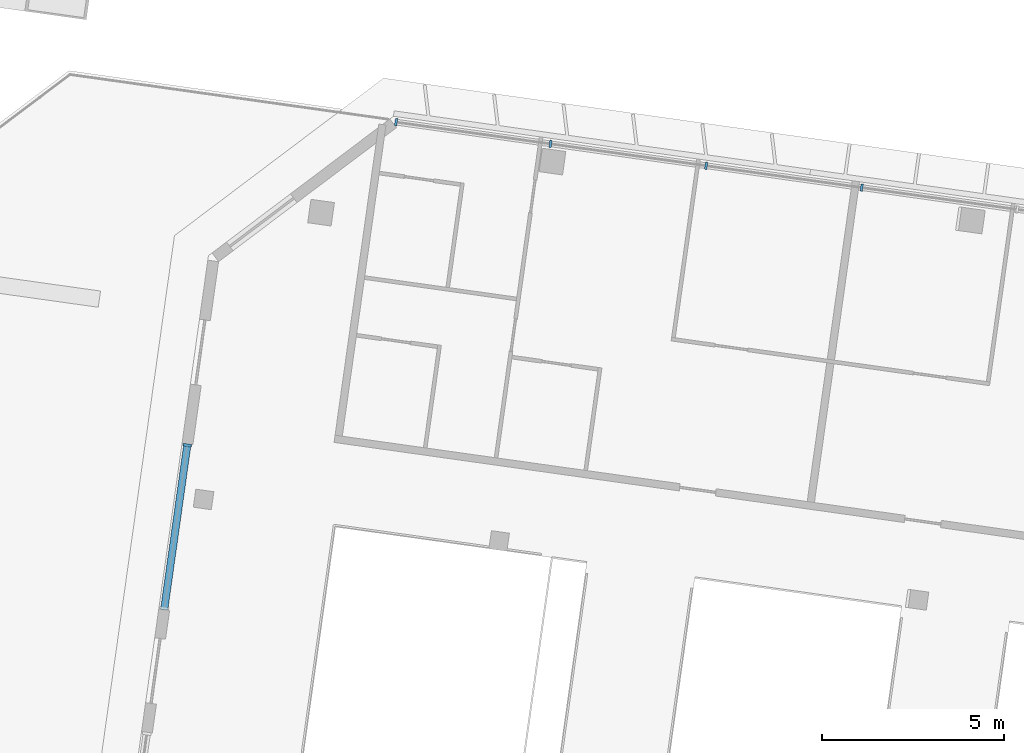
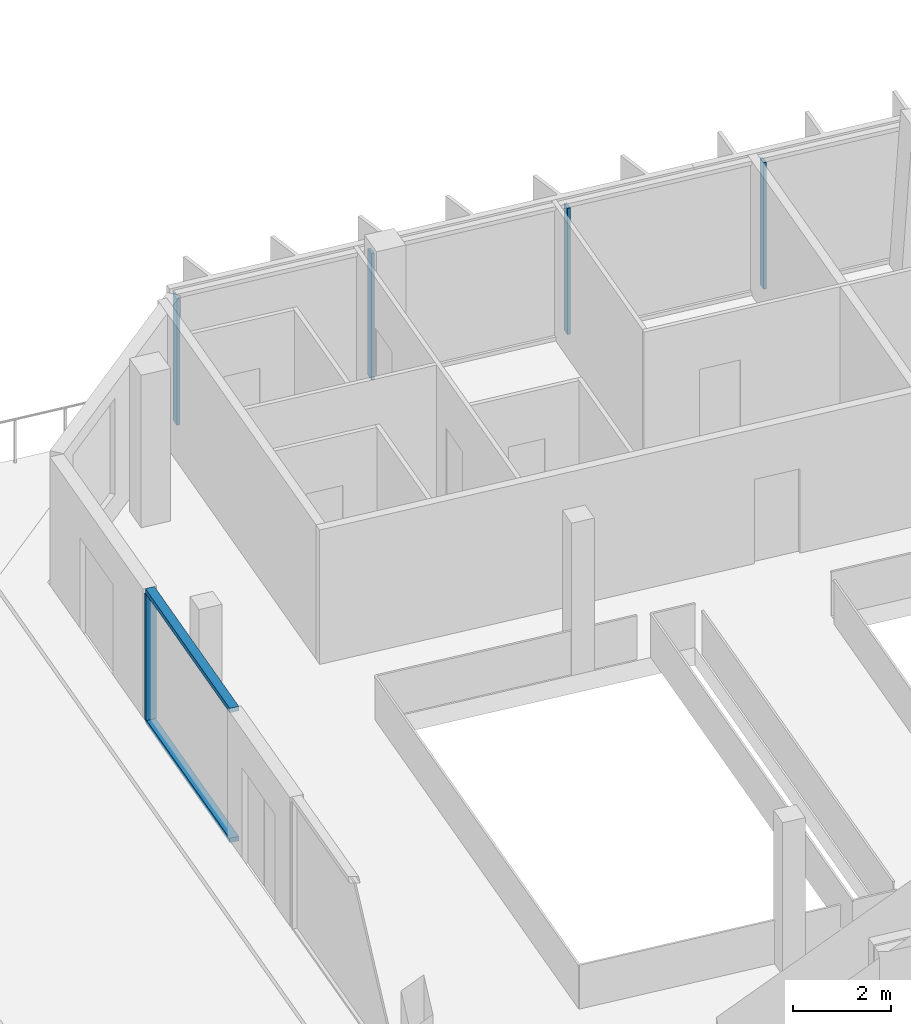
# One storey, part 4 of 19: 7 members, 2 elements without a shape of their own.
"""IFC4 building model written with IfcOpenShell, lengths in metres."""

from ifc_helpers import new_model, si_unit, direction, frame, origin, origin_2d, place, context, subcontext, project, spatial, rectangle, extrude, material, material_profile, profile_set, type_object, element, aggregate, save


model = new_model("IFC4")

# Units and contexts
model_context = context("Model", 3, precision=1e-05, world=origin(), true_north=direction((0.0, 1.0)))
body_context = subcontext(model_context, "Body", "Model", "MODEL_VIEW")
ifc_project = project(units=[si_unit("LENGTHUNIT", "METRE"), si_unit("AREAUNIT", "SQUARE_METRE"), si_unit("VOLUMEUNIT", "CUBIC_METRE"), si_unit("PLANEANGLEUNIT", "RADIAN"), si_unit("MASSUNIT", "GRAM", prefix="KILO")], contexts=[model_context])

# Site, building, storey
site_placement = place(None, origin())
site = spatial("IfcSite", under=ifc_project, at=site_placement, CompositionType="ELEMENT")
building_placement = place(site_placement, origin())
building = spatial("IfcBuilding", under=site, at=building_placement, Name="Mirante Cascada Hotel Towers", CompositionType="ELEMENT")
storey_placement = place(building_placement, frame((0.0, 0.0, 231.8)))
storey = spatial("IfcBuildingStorey", under=building, at=storey_placement, Name="L55", CompositionType="ELEMENT", Elevation=231.8)

# Curtain wall, members
ifc_material_1 = material(Name="Aluminium mullion and transom frame with clear laminated glass", Category="aluminium")
curtain_wall_type_1 = type_object("IfcCurtainWallType", Name="Ribbon curtain wall ECW1", PredefinedType="NOTDEFINED", material=ifc_material_1)
curtain_wall_1_placement = place(storey_placement, origin())
curtain_wall_1 = element("IfcCurtainWall", 1, at=curtain_wall_1_placement, inside=storey, type_object=curtain_wall_type_1, Name="Front ribbon wall T1 L55", PredefinedType="NOTDEFINED")
ifc_material_2 = material(Name="Anodised aluminium extrusion", Category="aluminium")
ifc_material_profile_1 = material_profile(ifc_material_2, rectangle(XDim=0.2, YDim=0.065, at=origin_2d()), Name="ECW1 MULLION 65x200")
ifc_profile_set_1 = profile_set([ifc_material_profile_1], Name="Anodised aluminium extrusion")
member_type_1 = type_object("IfcMemberType", Name="ECW1 mullion 65x200", PredefinedType="MULLION", material=ifc_profile_set_1)
member_1_placement = place(storey_placement, frame((-58.4763, 21.0373, 0.1), z_axis=(0.0, 0.0, 1.0), x_axis=(0.1391731, 0.9902681, 0.0)))
member_1 = element("IfcMember", 2, at=member_1_placement, type_object=member_type_1, Name="ECW1 mullion 1", PredefinedType="MULLION", context=body_context, shape_type="SweptSolid", body=[
    extrude(rectangle(XDim=0.2, YDim=0.065, at=origin_2d()), origin(), (0.0, 0.0, 1.0), 3.15),
])
member_2_placement = place(storey_placement, frame((-54.2336, 20.4411, 0.1), z_axis=(0.0, 0.0, 1.0), x_axis=(0.1391731, 0.9902681, 0.0)))
member_2 = element("IfcMember", 3, at=member_2_placement, type_object=member_type_1, Name="ECW1 mullion 2", PredefinedType="MULLION", context=body_context, shape_type="SweptSolid", body=[
    extrude(rectangle(XDim=0.2, YDim=0.065, at=origin_2d()), origin(), (0.0, 0.0, 1.0), 3.15),
])
member_3_placement = place(storey_placement, frame((-49.9587, 19.8403, 0.1), z_axis=(0.0, 0.0, 1.0), x_axis=(0.1391731, 0.9902681, 0.0)))
member_3 = element("IfcMember", 4, at=member_3_placement, type_object=member_type_1, Name="ECW1 mullion 3", PredefinedType="MULLION", context=body_context, shape_type="SweptSolid", body=[
    extrude(rectangle(XDim=0.2, YDim=0.065, at=origin_2d()), origin(), (0.0, 0.0, 1.0), 3.15),
])
member_4_placement = place(storey_placement, frame((-45.6838, 19.2395, 0.1), z_axis=(0.0, 0.0, 1.0), x_axis=(0.1391731, 0.9902681, 0.0)))
member_4 = element("IfcMember", 5, at=member_4_placement, type_object=member_type_1, Name="ECW1 mullion 4", PredefinedType="MULLION", context=body_context, shape_type="SweptSolid", body=[
    extrude(rectangle(XDim=0.2, YDim=0.065, at=origin_2d()), origin(), (0.0, 0.0, 1.0), 3.15),
])
aggregate(curtain_wall_1, [member_1, member_2, member_3, member_4])

ifc_material_3 = material(Name="Aluminium mullion and transom frame with clear laminated glass", Category="aluminium")
curtain_wall_type_2 = type_object("IfcCurtainWallType", Name="Sky garden curtain wall ECW4", PredefinedType="NOTDEFINED", material=ifc_material_3)
curtain_wall_2_placement = place(storey_placement, origin())
curtain_wall_2 = element("IfcCurtainWall", 6, at=curtain_wall_2_placement, inside=storey, type_object=curtain_wall_type_2, Name="Sky garden wall T1 L55 run 3", PredefinedType="NOTDEFINED")
ifc_material_4 = material(Name="Anodised aluminium extrusion", Category="aluminium")
ifc_material_profile_2 = material_profile(ifc_material_4, rectangle(XDim=0.24, YDim=0.075, at=origin_2d()), Name="ECW4 MULLION 75x240")
ifc_profile_set_2 = profile_set([ifc_material_profile_2], Name="Anodised aluminium extrusion")
member_type_2 = type_object("IfcMemberType", Name="ECW4 mullion 75x240", PredefinedType="MULLION", material=ifc_profile_set_2)
member_5_placement = place(storey_placement, frame((-64.212, 12.1617, 0.11), z_axis=(0.0, 0.0, 1.0), x_axis=(-0.9902681, 0.1391731, 0.0)))
member_5 = element("IfcMember", 7, at=member_5_placement, type_object=member_type_2, Name="ECW4 mullion 2", PredefinedType="MULLION", context=body_context, shape_type="SweptSolid", body=[
    extrude(rectangle(XDim=0.24, YDim=0.075, at=origin_2d()), origin(), (0.0, 0.0, 1.0), 3.13),
])
ifc_material_5 = material(Name="Anodised aluminium extrusion", Category="aluminium")
ifc_material_profile_3 = material_profile(ifc_material_5, rectangle(XDim=0.2, YDim=0.11, at=origin_2d()), Name="ECW4 TRANSOM 110x200")
ifc_profile_set_3 = profile_set([ifc_material_profile_3], Name="Anodised aluminium extrusion")
member_type_3 = type_object("IfcMemberType", Name="ECW4 transom 110x200", PredefinedType="USERDEFINED", material=ifc_profile_set_3)
member_6_placement = place(storey_placement, frame((-64.847, 7.6436, 0.055), z_axis=(0.1391749, 0.9902678, 0.0), x_axis=(-0.9902678, 0.1391749, 0.0)))
member_6 = element("IfcMember", 8, at=member_6_placement, type_object=member_type_3, Name="ECW4 sill transom", ObjectType="TRANSOM", PredefinedType="USERDEFINED", context=body_context, shape_type="SweptSolid", body=[
    extrude(rectangle(XDim=0.2, YDim=0.11, at=origin_2d()), origin(), (0.0, 0.0, 1.0), 4.6),
])
member_7_placement = place(storey_placement, frame((-64.847, 7.6436, 3.295), z_axis=(0.1391749, 0.9902678, 0.0), x_axis=(-0.9902678, 0.1391749, 0.0)))
member_7 = element("IfcMember", 9, at=member_7_placement, type_object=member_type_3, Name="ECW4 head transom", ObjectType="TRANSOM", PredefinedType="USERDEFINED", context=body_context, shape_type="SweptSolid", body=[
    extrude(rectangle(XDim=0.2, YDim=0.11, at=origin_2d()), origin(), (0.0, 0.0, 1.0), 4.6),
])
aggregate(curtain_wall_2, [member_6, member_7, member_5])

save(model, "model.ifc")
